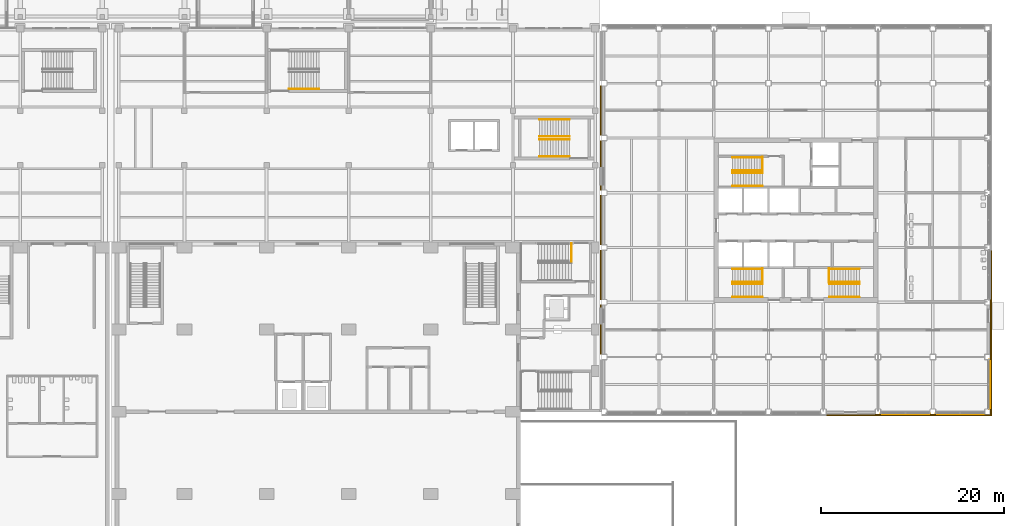
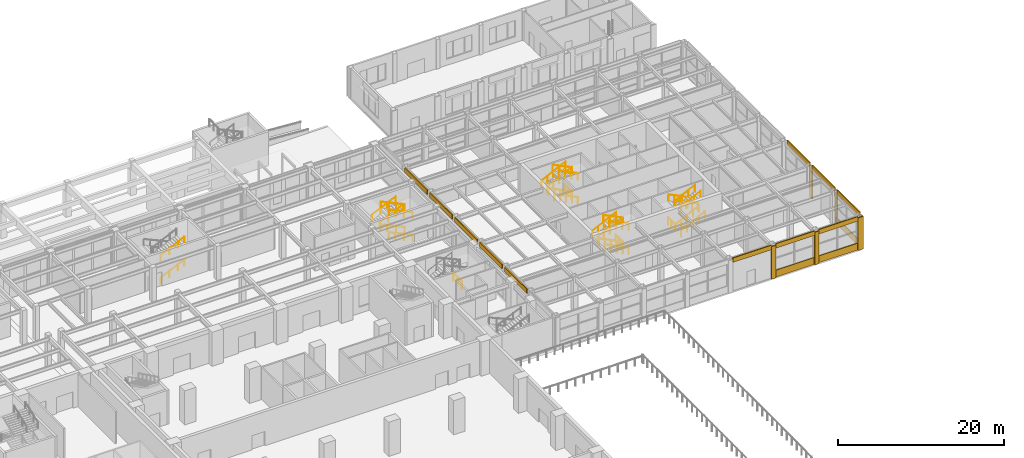
# One storey, part 69 of 77: 30 railings, 20 coverings.
"""IFC4 building model written with IfcOpenShell, lengths in metres."""

from ifc_helpers import new_model, si_unit, direction, frame, origin, origin_2d, place, context, subcontext, project, spatial, polyline, circle, outline, extrude, material, layer, layer_set, type_object, element, save


model = new_model("IFC4")

# Units and contexts
model_context = context("Model", 3, precision=1e-05, world=origin(), true_north=direction((0.0, 1.0)))
body_context = subcontext(model_context, "Body", "Model", "MODEL_VIEW")
ifc_project = project(units=[si_unit("LENGTHUNIT", "METRE"), si_unit("AREAUNIT", "SQUARE_METRE"), si_unit("VOLUMEUNIT", "CUBIC_METRE"), si_unit("PLANEANGLEUNIT", "RADIAN"), si_unit("MASSUNIT", "GRAM", prefix="KILO")], contexts=[model_context])

# Site, building, storey
site_placement = place(None, origin())
site = spatial("IfcSite", under=ifc_project, at=site_placement, CompositionType="ELEMENT")
building_placement = place(site_placement, origin())
building = spatial("IfcBuilding", under=site, at=building_placement, Name="Aravalli Gate Trade Fair Centre", CompositionType="ELEMENT")
storey_placement = place(building_placement, origin())
storey = spatial("IfcBuildingStorey", under=building, at=storey_placement, Name="L00", CompositionType="ELEMENT", Elevation=0.0)

# Railings
ifc_material_1 = material(Name="Steel E350", Category="steel")
railing_type_1 = type_object("IfcRailingType", Name="Concourse stair handrail 900", PredefinedType="HANDRAIL", material=ifc_material_1)
for number, where, name in (
    (1, (156.199951171875, 118.949951171875, 0.138916015625), "Handrail ES L00 flight 1o"),
    (2, (156.199951171875, 120.85009765625, 0.138916015625), "Handrail ES L00 flight 1i"),
):
    element("IfcRailing", number, at=place(storey_placement, frame(where)), inside=storey, type_object=railing_type_1, Name=name, PredefinedType="HANDRAIL", context=body_context, shape_type="SweptSolid", body=[
        extrude(circle(Radius=0.02392578125, at=origin_2d()), frame((0.0, 0.0, 0.8759765625), z_axis=(-0.907499493834, 0.0, 0.420053173647), x_axis=(0.0, -1.0, 0.0)), (0.0, 0.0, 1.0), 1.322265625),
        extrude(circle(Radius=0.02392578125, at=origin_2d()), frame((-1.199951171875, 0.0, 1.43115234375), z_axis=(-0.907429102623, 0.0, 0.420205216189), x_axis=(0.0, -1.0, 0.0)), (0.0, 0.0, 1.0), 1.322265625),
        extrude(circle(Radius=0.02392578125, at=origin_2d()), frame((-2.39990234375, 0.0, 1.98681640625), z_axis=(-0.907461694017, 0.0, 0.420134828231), x_axis=(0.0, -1.0, 0.0)), (0.0, 0.0, 1.0), 0.991943359375),
        extrude(circle(Radius=0.02099609375, at=origin_2d()), origin(), (0.0, 0.0, 1.0), 0.851806640625),
        extrude(circle(Radius=0.02099609375, at=origin_2d()), frame((-1.199951171875, 0.0, 0.555419921875)), (0.0, 0.0, 1.0), 0.851806640625),
        extrude(circle(Radius=0.02099609375, at=origin_2d()), frame((-2.39990234375, 0.0, 1.111083984375)), (0.0, 0.0, 1.0), 0.851806640625),
        extrude(circle(Radius=0.02099609375, at=origin_2d()), frame((-3.300048828125, 0.0, 1.52783203125)), (0.0, 0.0, 1.0), 0.851806640625),
    ])
for number, where, name in (
    (3, (152.89990234375, 123.050048828125, 1.8056640625), "Handrail ES L00 flight 2o"),
    (4, (152.89990234375, 121.14990234375, 1.8056640625), "Handrail ES L00 flight 2i"),
):
    element("IfcRailing", number, at=place(storey_placement, frame(where)), inside=storey, type_object=railing_type_1, Name=name, PredefinedType="HANDRAIL", context=body_context, shape_type="SweptSolid", body=[
        extrude(circle(Radius=0.02392578125, at=origin_2d()), frame((0.0, 0.0, 0.8759765625), z_axis=(0.907532064172, 0.0, 0.419982800242), x_axis=(0.0, 1.0, 0.0)), (0.0, 0.0, 1.0), 1.322509765625),
        extrude(circle(Radius=0.02392578125, at=origin_2d()), frame((1.2001953125, 0.0, 1.43115234375), z_axis=(0.907429102623, 0.0, 0.420205216189), x_axis=(0.0, 1.0, 0.0)), (0.0, 0.0, 1.0), 1.322265625),
        extrude(circle(Radius=0.02392578125, at=origin_2d()), frame((2.400146484375, 0.0, 1.98681640625), z_axis=(0.907512096258, 0.0, 0.420025945799), x_axis=(0.0, 1.0, 0.0)), (0.0, 0.0, 1.0), 0.99169921875),
        extrude(circle(Radius=0.02099609375, at=origin_2d()), origin(), (0.0, 0.0, 1.0), 0.851806640625),
        extrude(circle(Radius=0.02099609375, at=origin_2d()), frame((1.2001953125, 0.0, 0.555419921875)), (0.0, 0.0, 1.0), 0.851806640625),
        extrude(circle(Radius=0.02099609375, at=origin_2d()), frame((2.400146484375, 0.0, 1.111083984375)), (0.0, 0.0, 1.0), 0.851806640625),
        extrude(circle(Radius=0.02099609375, at=origin_2d()), frame((3.300048828125, 0.0, 1.527587890625)), (0.0, 0.0, 1.0), 0.851806640625),
    ])
for number, where, name in (
    (5, (156.199951171875, 118.949951171875, 3.47216796875), "Handrail ES L00 flight 3o"),
    (6, (156.199951171875, 120.85009765625, 3.47216796875), "Handrail ES L00 flight 3i"),
):
    element("IfcRailing", number, at=place(storey_placement, frame(where)), inside=storey, type_object=railing_type_1, Name=name, PredefinedType="HANDRAIL", context=body_context, shape_type="SweptSolid", body=[
        extrude(circle(Radius=0.02392578125, at=origin_2d()), frame((0.0, 0.0, 0.8759765625), z_axis=(-0.907429102623, 0.0, 0.420205216189), x_axis=(0.0, -1.0, 0.0)), (0.0, 0.0, 1.0), 1.322265625),
        extrude(circle(Radius=0.02392578125, at=origin_2d()), frame((-1.199951171875, 0.0, 1.431640625), z_axis=(-0.907499493834, 0.0, 0.420053173647), x_axis=(0.0, -1.0, 0.0)), (0.0, 0.0, 1.0), 1.322265625),
        extrude(circle(Radius=0.02392578125, at=origin_2d()), frame((-2.39990234375, 0.0, 1.98681640625), z_axis=(-0.907461694017, 0.0, 0.420134828231), x_axis=(0.0, -1.0, 0.0)), (0.0, 0.0, 1.0), 0.991943359375),
        extrude(circle(Radius=0.02099609375, at=origin_2d()), origin(), (0.0, 0.0, 1.0), 0.851806640625),
        extrude(circle(Radius=0.02099609375, at=origin_2d()), frame((-1.199951171875, 0.0, 0.5556640625)), (0.0, 0.0, 1.0), 0.851806640625),
        extrude(circle(Radius=0.02099609375, at=origin_2d()), frame((-2.39990234375, 0.0, 1.111083984375)), (0.0, 0.0, 1.0), 0.851806640625),
        extrude(circle(Radius=0.02099609375, at=origin_2d()), frame((-3.300048828125, 0.0, 1.52783203125)), (0.0, 0.0, 1.0), 0.851806640625),
    ])
railing_1_placement = place(storey_placement, frame((125.449951171875, 126.35009765625, 0.138916015625)))
element("IfcRailing", 7, at=railing_1_placement, inside=storey, type_object=railing_type_1, Name="Handrail XE L00 flight 1o", PredefinedType="HANDRAIL", context=body_context, shape_type="SweptSolid", body=[
    extrude(circle(Radius=0.02392578125, at=origin_2d()), frame((0.0, 0.0, 0.8759765625), z_axis=(0.907499493834, 0.0, 0.420053173647), x_axis=(0.0, 1.0, 0.0)), (0.0, 0.0, 1.0), 1.322265625),
    extrude(circle(Radius=0.02392578125, at=origin_2d()), frame((1.199951171875, 0.0, 1.43115234375), z_axis=(0.907461694017, 0.0, 0.420134828231), x_axis=(0.0, 1.0, 0.0)), (0.0, 0.0, 1.0), 1.322509765625),
    extrude(circle(Radius=0.02392578125, at=origin_2d()), frame((2.400146484375, 0.0, 1.98681640625), z_axis=(0.907418235185, 0.0, 0.420228683522), x_axis=(0.0, 1.0, 0.0)), (0.0, 0.0, 1.0), 0.99169921875),
    extrude(circle(Radius=0.02099609375, at=origin_2d()), origin(), (0.0, 0.0, 1.0), 0.851806640625),
    extrude(circle(Radius=0.02099609375, at=origin_2d()), frame((1.199951171875, 0.0, 0.555419921875)), (0.0, 0.0, 1.0), 0.851806640625),
    extrude(circle(Radius=0.02099609375, at=origin_2d()), frame((2.400146484375, 0.0, 1.111083984375)), (0.0, 0.0, 1.0), 0.851806640625),
    extrude(circle(Radius=0.02099609375, at=origin_2d()), frame((3.300048828125, 0.0, 1.52783203125)), (0.0, 0.0, 1.0), 0.851806640625),
])
railing_2_placement = place(storey_placement, frame((125.449951171875, 126.35009765625, 3.47216796875)))
element("IfcRailing", 8, at=railing_2_placement, inside=storey, type_object=railing_type_1, Name="Handrail XE L00 flight 3o", PredefinedType="HANDRAIL", context=body_context, shape_type="SweptSolid", body=[
    extrude(circle(Radius=0.02392578125, at=origin_2d()), frame((0.0, 0.0, 0.8759765625), z_axis=(0.907429102623, 0.0, 0.420205216189), x_axis=(0.0, 1.0, 0.0)), (0.0, 0.0, 1.0), 1.322265625),
    extrude(circle(Radius=0.02392578125, at=origin_2d()), frame((1.199951171875, 0.0, 1.431640625), z_axis=(0.907532064172, 0.0, 0.419982800242), x_axis=(0.0, 1.0, 0.0)), (0.0, 0.0, 1.0), 1.322509765625),
    extrude(circle(Radius=0.02392578125, at=origin_2d()), frame((2.400146484375, 0.0, 1.98681640625), z_axis=(0.907418235185, 0.0, 0.420228683522), x_axis=(0.0, 1.0, 0.0)), (0.0, 0.0, 1.0), 0.99169921875),
    extrude(circle(Radius=0.02099609375, at=origin_2d()), origin(), (0.0, 0.0, 1.0), 0.851806640625),
    extrude(circle(Radius=0.02099609375, at=origin_2d()), frame((1.199951171875, 0.0, 0.5556640625)), (0.0, 0.0, 1.0), 0.851806640625),
    extrude(circle(Radius=0.02099609375, at=origin_2d()), frame((2.400146484375, 0.0, 1.111083984375)), (0.0, 0.0, 1.0), 0.851806640625),
    extrude(circle(Radius=0.02099609375, at=origin_2d()), frame((3.300048828125, 0.0, 1.52783203125)), (0.0, 0.0, 1.0), 0.851806640625),
])

# Coverings
ifc_material_2 = material(Name="Dholpur sandstone", Category="masonry")
ifc_layer_1 = layer(ifc_material_2, 0.14990234375)
ifc_layer_set_1 = layer_set([ifc_layer_1], Name="Dholpur sandstone")
covering_type_1 = type_object("IfcCoveringType", Name="Wing sandstone pier casing 150", PredefinedType="CLADDING", material=ifc_layer_set_1)
covering_1_placement = place(storey_placement, origin())
element("IfcCovering", 9, at=covering_1_placement, inside=storey, type_object=covering_type_1, Name="Pier casing 23F S L00", PredefinedType="CLADDING", context=body_context, shape_type="SweptSolid", body=[
    extrude(outline(polyline([(189.699951171875, 90.550048828125), (190.300048828125, 90.550048828125), (190.300048828125, 90.699951171875), (189.699951171875, 90.699951171875), (189.699951171875, 90.550048828125)])), origin(), (0.0, 0.0, 1.0), 4.800048828125),
])
covering_2_placement = place(storey_placement, origin())
element("IfcCovering", 10, at=covering_2_placement, inside=storey, type_object=covering_type_1, Name="Pier casing 24F S L00", PredefinedType="CLADDING", context=body_context, shape_type="SweptSolid", body=[
    extrude(outline(polyline([(195.699951171875, 90.550048828125), (196.300048828125, 90.550048828125), (196.300048828125, 90.699951171875), (195.699951171875, 90.699951171875), (195.699951171875, 90.550048828125)])), origin(), (0.0, 0.0, 1.0), 4.800048828125),
])
covering_3_placement = place(storey_placement, origin())
element("IfcCovering", 11, at=covering_3_placement, inside=storey, type_object=covering_type_1, Name="Pier casing 25F S L00", PredefinedType="CLADDING", context=body_context, shape_type="SweptSolid", body=[
    extrude(outline(polyline([(201.699951171875, 90.550048828125), (202.449951171875, 90.550048828125), (202.449951171875, 90.699951171875), (201.699951171875, 90.699951171875), (201.699951171875, 90.550048828125)])), origin(), (0.0, 0.0, 1.0), 4.800048828125),
])
covering_4_placement = place(storey_placement, origin())
element("IfcCovering", 12, at=covering_4_placement, inside=storey, type_object=covering_type_1, Name="Pier casing 25F E L00", PredefinedType="CLADDING", context=body_context, shape_type="SweptSolid", body=[
    extrude(outline(polyline([(202.300048828125, 90.699951171875), (202.449951171875, 90.699951171875), (202.449951171875, 91.300048828125), (202.300048828125, 91.300048828125), (202.300048828125, 90.699951171875)])), origin(), (0.0, 0.0, 1.0), 4.800048828125),
])
covering_5_placement = place(storey_placement, origin())
element("IfcCovering", 13, at=covering_5_placement, inside=storey, type_object=covering_type_1, Name="Pier casing 25T1 E L00", PredefinedType="CLADDING", context=body_context, shape_type="SweptSolid", body=[
    extrude(outline(polyline([(202.300048828125, 96.699951171875), (202.449951171875, 96.699951171875), (202.449951171875, 97.300048828125), (202.300048828125, 97.300048828125), (202.300048828125, 96.699951171875)])), origin(), (0.0, 0.0, 1.0), 4.800048828125),
])
covering_6_placement = place(storey_placement, origin())
element("IfcCovering", 14, at=covering_6_placement, inside=storey, type_object=covering_type_1, Name="Pier casing 25T2 E L00", PredefinedType="CLADDING", context=body_context, shape_type="SweptSolid", body=[
    extrude(outline(polyline([(202.300048828125, 102.699951171875), (202.449951171875, 102.699951171875), (202.449951171875, 103.300048828125), (202.300048828125, 103.300048828125), (202.300048828125, 102.699951171875)])), origin(), (0.0, 0.0, 1.0), 4.800048828125),
])
ifc_material_3 = material(Name="Glazed terracotta", Category="masonry")
ifc_layer_2 = layer(ifc_material_3, 0.14501953125)
ifc_layer_set_2 = layer_set([ifc_layer_2], Name="Glazed terracotta")
covering_type_2 = type_object("IfcCoveringType", Name="Wing spandrel band 145", PredefinedType="CLADDING", material=ifc_layer_set_2)
covering_7_placement = place(storey_placement, frame((0.0, 0.0, 4.35009765625)))
element("IfcCovering", 15, at=covering_7_placement, inside=storey, type_object=covering_type_2, Name="Spandrel band S4 L00", PredefinedType="CLADDING", context=body_context, shape_type="SweptSolid", body=[
    extrude(outline(polyline([(184.300048828125, 90.550048828125), (189.699951171875, 90.550048828125), (189.699951171875, 90.695068359375), (184.300048828125, 90.695068359375), (184.300048828125, 90.550048828125)])), origin(), (0.0, 0.0, 1.0), 0.64990234375),
])
covering_8_placement = place(storey_placement, frame((0.0, 0.0, 4.35009765625)))
element("IfcCovering", 16, at=covering_8_placement, inside=storey, type_object=covering_type_2, Name="Spandrel band S5 L00", PredefinedType="CLADDING", context=body_context, shape_type="SweptSolid", body=[
    extrude(outline(polyline([(190.300048828125, 90.550048828125), (195.699951171875, 90.550048828125), (195.699951171875, 90.695068359375), (190.300048828125, 90.695068359375), (190.300048828125, 90.550048828125)])), origin(), (0.0, 0.0, 1.0), 0.64990234375),
])
covering_9_placement = place(storey_placement, frame((0.0, 0.0, 4.35009765625)))
element("IfcCovering", 17, at=covering_9_placement, inside=storey, type_object=covering_type_2, Name="Spandrel band S6 L00", PredefinedType="CLADDING", context=body_context, shape_type="SweptSolid", body=[
    extrude(outline(polyline([(196.300048828125, 90.550048828125), (201.699951171875, 90.550048828125), (201.699951171875, 90.695068359375), (196.300048828125, 90.695068359375), (196.300048828125, 90.550048828125)])), origin(), (0.0, 0.0, 1.0), 0.64990234375),
])
covering_10_placement = place(storey_placement, frame((0.0, 0.0, 4.35009765625)))
element("IfcCovering", 18, at=covering_10_placement, inside=storey, type_object=covering_type_2, Name="Spandrel band W1 L00", PredefinedType="CLADDING", context=body_context, shape_type="SweptSolid", body=[
    extrude(outline(polyline([(159.550048828125, 97.300048828125), (159.695068359375, 97.300048828125), (159.695068359375, 102.699951171875), (159.550048828125, 102.699951171875), (159.550048828125, 97.300048828125)])), origin(), (0.0, 0.0, 1.0), 0.64990234375),
])
covering_11_placement = place(storey_placement, frame((0.0, 0.0, 4.35009765625)))
element("IfcCovering", 19, at=covering_11_placement, inside=storey, type_object=covering_type_2, Name="Spandrel band W2 L00", PredefinedType="CLADDING", context=body_context, shape_type="SweptSolid", body=[
    extrude(outline(polyline([(159.550048828125, 103.300048828125), (159.695068359375, 103.300048828125), (159.695068359375, 108.699951171875), (159.550048828125, 108.699951171875), (159.550048828125, 103.300048828125)])), origin(), (0.0, 0.0, 1.0), 0.64990234375),
])
covering_12_placement = place(storey_placement, frame((0.0, 0.0, 4.35009765625)))
element("IfcCovering", 20, at=covering_12_placement, inside=storey, type_object=covering_type_2, Name="Spandrel band W3 L00", PredefinedType="CLADDING", context=body_context, shape_type="SweptSolid", body=[
    extrude(outline(polyline([(159.550048828125, 109.300048828125), (159.695068359375, 109.300048828125), (159.695068359375, 114.699951171875), (159.550048828125, 114.699951171875), (159.550048828125, 109.300048828125)])), origin(), (0.0, 0.0, 1.0), 0.64990234375),
])
covering_13_placement = place(storey_placement, frame((0.0, 0.0, 4.35009765625)))
element("IfcCovering", 21, at=covering_13_placement, inside=storey, type_object=covering_type_2, Name="Spandrel band W4 L00", PredefinedType="CLADDING", context=body_context, shape_type="SweptSolid", body=[
    extrude(outline(polyline([(159.550048828125, 115.300048828125), (159.695068359375, 115.300048828125), (159.695068359375, 120.699951171875), (159.550048828125, 120.699951171875), (159.550048828125, 115.300048828125)])), origin(), (0.0, 0.0, 1.0), 0.64990234375),
])
covering_14_placement = place(storey_placement, frame((0.0, 0.0, 4.35009765625)))
element("IfcCovering", 22, at=covering_14_placement, inside=storey, type_object=covering_type_2, Name="Spandrel band W5 L00", PredefinedType="CLADDING", context=body_context, shape_type="SweptSolid", body=[
    extrude(outline(polyline([(159.550048828125, 121.300048828125), (159.695068359375, 121.300048828125), (159.695068359375, 126.699951171875), (159.550048828125, 126.699951171875), (159.550048828125, 121.300048828125)])), origin(), (0.0, 0.0, 1.0), 0.64990234375),
])
covering_15_placement = place(storey_placement, frame((0.0, 0.0, 4.35009765625)))
element("IfcCovering", 23, at=covering_15_placement, inside=storey, type_object=covering_type_2, Name="Spandrel band E0 L00", PredefinedType="CLADDING", context=body_context, shape_type="SweptSolid", body=[
    extrude(outline(polyline([(202.304931640625, 91.300048828125), (202.449951171875, 91.300048828125), (202.449951171875, 96.699951171875), (202.304931640625, 96.699951171875), (202.304931640625, 91.300048828125)])), origin(), (0.0, 0.0, 1.0), 0.64990234375),
])
covering_16_placement = place(storey_placement, frame((0.0, 0.0, 4.35009765625)))
element("IfcCovering", 24, at=covering_16_placement, inside=storey, type_object=covering_type_2, Name="Spandrel band E1 L00", PredefinedType="CLADDING", context=body_context, shape_type="SweptSolid", body=[
    extrude(outline(polyline([(202.304931640625, 97.300048828125), (202.449951171875, 97.300048828125), (202.449951171875, 102.699951171875), (202.304931640625, 102.699951171875), (202.304931640625, 97.300048828125)])), origin(), (0.0, 0.0, 1.0), 0.64990234375),
])
covering_17_placement = place(storey_placement, frame((0.0, 0.0, 4.35009765625)))
element("IfcCovering", 25, at=covering_17_placement, inside=storey, type_object=covering_type_2, Name="Spandrel band E2 L00", PredefinedType="CLADDING", context=body_context, shape_type="SweptSolid", body=[
    extrude(outline(polyline([(202.304931640625, 103.300048828125), (202.449951171875, 103.300048828125), (202.449951171875, 108.699951171875), (202.304931640625, 108.699951171875), (202.304931640625, 103.300048828125)])), origin(), (0.0, 0.0, 1.0), 0.64990234375),
])

# Railings
railing_type_2 = type_object("IfcRailingType", Name="Wing stair handrail", PredefinedType="HANDRAIL", material=ifc_material_1)
for number, where, name in (
    (26, (177.35009765625, 103.56005859375, 0.14697265625), "Handrail S2 L00 1a"),
    (27, (177.35009765625, 104.97998046875, 0.14697265625), "Handrail S2 L00 1b"),
):
    element("IfcRailing", number, at=place(storey_placement, frame(where)), inside=storey, type_object=railing_type_2, Name=name, PredefinedType="HANDRAIL", context=body_context, shape_type="SweptSolid", body=[
        extrude(circle(Radius=0.02392578125, at=origin_2d()), frame((0.0, 0.0, 0.92578125), z_axis=(-0.897920207933, 0.0, 0.440158267202), x_axis=(0.0, -1.0, 0.0)), (0.0, 0.0, 1.0), 3.67529296875),
        extrude(circle(Radius=0.02099609375, at=origin_2d()), origin(), (0.0, 0.0, 1.0), 0.90185546875),
        extrude(circle(Radius=0.02099609375, at=origin_2d()), frame((-0.824951171875, 0.0, 0.404296875)), (0.0, 0.0, 1.0), 0.90185546875),
        extrude(circle(Radius=0.02099609375, at=origin_2d()), frame((-1.64990234375, 0.0, 0.808837890625)), (0.0, 0.0, 1.0), 0.90185546875),
        extrude(circle(Radius=0.02099609375, at=origin_2d()), frame((-2.47509765625, 0.0, 1.21337890625)), (0.0, 0.0, 1.0), 0.90185546875),
        extrude(circle(Radius=0.02099609375, at=origin_2d()), frame((-3.300048828125, 0.0, 1.61767578125)), (0.0, 0.0, 1.0), 0.90185546875),
    ])
for number, where, name in (
    (28, (174.050048828125, 105.219970703125, 1.911865234375), "Handrail S2 L00 2a"),
    (29, (174.050048828125, 106.639892578125, 1.911865234375), "Handrail S2 L00 2b"),
):
    element("IfcRailing", number, at=place(storey_placement, frame(where)), inside=storey, type_object=railing_type_2, Name=name, PredefinedType="HANDRAIL", context=body_context, shape_type="SweptSolid", body=[
        extrude(circle(Radius=0.02392578125, at=origin_2d()), frame((0.0, 0.0, 0.92578125), z_axis=(0.897946461621, 0.0, 0.440104705795), x_axis=(0.0, 1.0, 0.0)), (0.0, 0.0, 1.0), 3.675048828125),
        extrude(circle(Radius=0.02099609375, at=origin_2d()), origin(), (0.0, 0.0, 1.0), 0.90185546875),
        extrude(circle(Radius=0.02099609375, at=origin_2d()), frame((0.824951171875, 0.0, 0.404296875)), (0.0, 0.0, 1.0), 0.90185546875),
        extrude(circle(Radius=0.02099609375, at=origin_2d()), frame((1.64990234375, 0.0, 0.80859375)), (0.0, 0.0, 1.0), 0.90185546875),
        extrude(circle(Radius=0.02099609375, at=origin_2d()), frame((2.47509765625, 0.0, 1.213134765625)), (0.0, 0.0, 1.0), 0.90185546875),
        extrude(circle(Radius=0.02099609375, at=origin_2d()), frame((3.300048828125, 0.0, 1.617431640625)), (0.0, 0.0, 1.0), 0.90185546875),
    ])
for number, where, name in (
    (30, (177.35009765625, 103.56005859375, 3.676513671875), "Handrail S2 L00 3a"),
    (31, (177.35009765625, 104.97998046875, 3.676513671875), "Handrail S2 L00 3b"),
):
    element("IfcRailing", number, at=place(storey_placement, frame(where)), inside=storey, type_object=railing_type_2, Name=name, PredefinedType="HANDRAIL", context=body_context, shape_type="SweptSolid", body=[
        extrude(circle(Radius=0.02392578125, at=origin_2d()), frame((0.0, 0.0, 0.92578125), z_axis=(-0.897938967857, 0.0, 0.440119995005), x_axis=(0.0, -1.0, 0.0)), (0.0, 0.0, 1.0), 3.007080078125),
        extrude(circle(Radius=0.02099609375, at=origin_2d()), origin(), (0.0, 0.0, 1.0), 0.90185546875),
        extrude(circle(Radius=0.02099609375, at=origin_2d()), frame((-0.900146484375, 0.0, 0.441162109375)), (0.0, 0.0, 1.0), 0.90185546875),
        extrude(circle(Radius=0.02099609375, at=origin_2d()), frame((-1.800048828125, 0.0, 0.88232421875)), (0.0, 0.0, 1.0), 0.90185546875),
        extrude(circle(Radius=0.02099609375, at=origin_2d()), frame((-2.7001953125, 0.0, 1.323486328125)), (0.0, 0.0, 1.0), 0.90185546875),
    ])
for number, where, name in (
    (32, (184.64990234375, 103.56005859375, 0.14697265625), "Handrail S1 L00 1a"),
    (33, (184.64990234375, 104.97998046875, 0.14697265625), "Handrail S1 L00 1b"),
):
    element("IfcRailing", number, at=place(storey_placement, frame(where)), inside=storey, type_object=railing_type_2, Name=name, PredefinedType="HANDRAIL", context=body_context, shape_type="SweptSolid", body=[
        extrude(circle(Radius=0.02392578125, at=origin_2d()), frame((0.0, 0.0, 0.92578125), z_axis=(0.897920207933, 0.0, 0.440158267202), x_axis=(0.0, 1.0, 0.0)), (0.0, 0.0, 1.0), 3.67529296875),
        extrude(circle(Radius=0.02099609375, at=origin_2d()), origin(), (0.0, 0.0, 1.0), 0.90185546875),
        extrude(circle(Radius=0.02099609375, at=origin_2d()), frame((0.824951171875, 0.0, 0.404296875)), (0.0, 0.0, 1.0), 0.90185546875),
        extrude(circle(Radius=0.02099609375, at=origin_2d()), frame((1.64990234375, 0.0, 0.808837890625)), (0.0, 0.0, 1.0), 0.90185546875),
        extrude(circle(Radius=0.02099609375, at=origin_2d()), frame((2.47509765625, 0.0, 1.21337890625)), (0.0, 0.0, 1.0), 0.90185546875),
        extrude(circle(Radius=0.02099609375, at=origin_2d()), frame((3.300048828125, 0.0, 1.61767578125)), (0.0, 0.0, 1.0), 0.90185546875),
    ])
for number, where, name in (
    (34, (187.949951171875, 105.219970703125, 1.911865234375), "Handrail S1 L00 2a"),
    (35, (187.949951171875, 106.639892578125, 1.911865234375), "Handrail S1 L00 2b"),
):
    element("IfcRailing", number, at=place(storey_placement, frame(where)), inside=storey, type_object=railing_type_2, Name=name, PredefinedType="HANDRAIL", context=body_context, shape_type="SweptSolid", body=[
        extrude(circle(Radius=0.02392578125, at=origin_2d()), frame((0.0, 0.0, 0.92578125), z_axis=(-0.897946461621, 0.0, 0.440104705795), x_axis=(0.0, -1.0, 0.0)), (0.0, 0.0, 1.0), 3.675048828125),
        extrude(circle(Radius=0.02099609375, at=origin_2d()), origin(), (0.0, 0.0, 1.0), 0.90185546875),
        extrude(circle(Radius=0.02099609375, at=origin_2d()), frame((-0.824951171875, 0.0, 0.404296875)), (0.0, 0.0, 1.0), 0.90185546875),
        extrude(circle(Radius=0.02099609375, at=origin_2d()), frame((-1.64990234375, 0.0, 0.80859375)), (0.0, 0.0, 1.0), 0.90185546875),
        extrude(circle(Radius=0.02099609375, at=origin_2d()), frame((-2.47509765625, 0.0, 1.213134765625)), (0.0, 0.0, 1.0), 0.90185546875),
        extrude(circle(Radius=0.02099609375, at=origin_2d()), frame((-3.300048828125, 0.0, 1.617431640625)), (0.0, 0.0, 1.0), 0.90185546875),
    ])
for number, where, name in (
    (36, (184.64990234375, 103.56005859375, 3.676513671875), "Handrail S1 L00 3a"),
    (37, (184.64990234375, 104.97998046875, 3.676513671875), "Handrail S1 L00 3b"),
):
    element("IfcRailing", number, at=place(storey_placement, frame(where)), inside=storey, type_object=railing_type_2, Name=name, PredefinedType="HANDRAIL", context=body_context, shape_type="SweptSolid", body=[
        extrude(circle(Radius=0.02392578125, at=origin_2d()), frame((0.0, 0.0, 0.92578125), z_axis=(0.897938967857, 0.0, 0.440119995005), x_axis=(0.0, 1.0, 0.0)), (0.0, 0.0, 1.0), 3.007080078125),
        extrude(circle(Radius=0.02099609375, at=origin_2d()), origin(), (0.0, 0.0, 1.0), 0.90185546875),
        extrude(circle(Radius=0.02099609375, at=origin_2d()), frame((0.900146484375, 0.0, 0.441162109375)), (0.0, 0.0, 1.0), 0.90185546875),
        extrude(circle(Radius=0.02099609375, at=origin_2d()), frame((1.800048828125, 0.0, 0.88232421875)), (0.0, 0.0, 1.0), 0.90185546875),
        extrude(circle(Radius=0.02099609375, at=origin_2d()), frame((2.7001953125, 0.0, 1.323486328125)), (0.0, 0.0, 1.0), 0.90185546875),
    ])
for number, where, name in (
    (38, (177.35009765625, 115.760009765625, 0.14697265625), "Handrail FFS L00 1a"),
    (39, (177.35009765625, 117.179931640625, 0.14697265625), "Handrail FFS L00 1b"),
):
    element("IfcRailing", number, at=place(storey_placement, frame(where)), inside=storey, type_object=railing_type_2, Name=name, PredefinedType="HANDRAIL", context=body_context, shape_type="SweptSolid", body=[
        extrude(circle(Radius=0.02392578125, at=origin_2d()), frame((0.0, 0.0, 0.92578125), z_axis=(-0.897920207933, 0.0, 0.440158267202), x_axis=(0.0, -1.0, 0.0)), (0.0, 0.0, 1.0), 3.67529296875),
        extrude(circle(Radius=0.02099609375, at=origin_2d()), origin(), (0.0, 0.0, 1.0), 0.90185546875),
        extrude(circle(Radius=0.02099609375, at=origin_2d()), frame((-0.824951171875, 0.0, 0.404296875)), (0.0, 0.0, 1.0), 0.90185546875),
        extrude(circle(Radius=0.02099609375, at=origin_2d()), frame((-1.64990234375, 0.0, 0.808837890625)), (0.0, 0.0, 1.0), 0.90185546875),
        extrude(circle(Radius=0.02099609375, at=origin_2d()), frame((-2.47509765625, 0.0, 1.21337890625)), (0.0, 0.0, 1.0), 0.90185546875),
        extrude(circle(Radius=0.02099609375, at=origin_2d()), frame((-3.300048828125, 0.0, 1.61767578125)), (0.0, 0.0, 1.0), 0.90185546875),
    ])
for number, where, name in (
    (40, (174.050048828125, 117.419921875, 1.911865234375), "Handrail FFS L00 2a"),
    (41, (174.050048828125, 118.840087890625, 1.911865234375), "Handrail FFS L00 2b"),
):
    element("IfcRailing", number, at=place(storey_placement, frame(where)), inside=storey, type_object=railing_type_2, Name=name, PredefinedType="HANDRAIL", context=body_context, shape_type="SweptSolid", body=[
        extrude(circle(Radius=0.02392578125, at=origin_2d()), frame((0.0, 0.0, 0.92578125), z_axis=(0.897946461621, 0.0, 0.440104705795), x_axis=(0.0, 1.0, 0.0)), (0.0, 0.0, 1.0), 3.675048828125),
        extrude(circle(Radius=0.02099609375, at=origin_2d()), origin(), (0.0, 0.0, 1.0), 0.90185546875),
        extrude(circle(Radius=0.02099609375, at=origin_2d()), frame((0.824951171875, 0.0, 0.404296875)), (0.0, 0.0, 1.0), 0.90185546875),
        extrude(circle(Radius=0.02099609375, at=origin_2d()), frame((1.64990234375, 0.0, 0.80859375)), (0.0, 0.0, 1.0), 0.90185546875),
        extrude(circle(Radius=0.02099609375, at=origin_2d()), frame((2.47509765625, 0.0, 1.213134765625)), (0.0, 0.0, 1.0), 0.90185546875),
        extrude(circle(Radius=0.02099609375, at=origin_2d()), frame((3.300048828125, 0.0, 1.617431640625)), (0.0, 0.0, 1.0), 0.90185546875),
    ])
for number, where, name in (
    (42, (177.35009765625, 115.760009765625, 3.676513671875), "Handrail FFS L00 3a"),
    (43, (177.35009765625, 117.179931640625, 3.676513671875), "Handrail FFS L00 3b"),
):
    element("IfcRailing", number, at=place(storey_placement, frame(where)), inside=storey, type_object=railing_type_2, Name=name, PredefinedType="HANDRAIL", context=body_context, shape_type="SweptSolid", body=[
        extrude(circle(Radius=0.02392578125, at=origin_2d()), frame((0.0, 0.0, 0.92578125), z_axis=(-0.897938967857, 0.0, 0.440119995005), x_axis=(0.0, -1.0, 0.0)), (0.0, 0.0, 1.0), 3.007080078125),
        extrude(circle(Radius=0.02099609375, at=origin_2d()), origin(), (0.0, 0.0, 1.0), 0.90185546875),
        extrude(circle(Radius=0.02099609375, at=origin_2d()), frame((-0.900146484375, 0.0, 0.441162109375)), (0.0, 0.0, 1.0), 0.90185546875),
        extrude(circle(Radius=0.02099609375, at=origin_2d()), frame((-1.800048828125, 0.0, 0.88232421875)), (0.0, 0.0, 1.0), 0.90185546875),
        extrude(circle(Radius=0.02099609375, at=origin_2d()), frame((-2.7001953125, 0.0, 1.323486328125)), (0.0, 0.0, 1.0), 0.90185546875),
    ])
railing_type_3 = type_object("IfcRailingType", Name="Wing stair roof guard", PredefinedType="GUARDRAIL", material=ifc_material_1)
for number, where, name in (
    (44, (177.35009765625, 105.159912109375, 0.0), "Guard S2 landing L00"),
    (45, (184.64990234375, 105.159912109375, 0.0), "Guard S1 landing L00"),
):
    element("IfcRailing", number, at=place(storey_placement, frame(where)), inside=storey, type_object=railing_type_3, Name=name, PredefinedType="GUARDRAIL", context=body_context, shape_type="SweptSolid", body=[
        extrude(circle(Radius=0.02392578125, at=origin_2d()), frame((0.0, 0.0, 1.076171875), z_axis=(0.0, 1.0, 0.0), x_axis=(-1.0, 0.0, 0.0)), (0.0, 0.0, 1.0), 1.5400390625),
        extrude(circle(Radius=0.02099609375, at=origin_2d()), origin(), (0.0, 0.0, 1.0), 1.052001953125),
        extrude(circle(Radius=0.02099609375, at=origin_2d()), frame((0.0, 0.77001953125, 0.0)), (0.0, 0.0, 1.0), 1.052001953125),
        extrude(circle(Radius=0.02099609375, at=origin_2d()), frame((0.0, 1.5400390625, 0.0)), (0.0, 0.0, 1.0), 1.052001953125),
    ])
railing_3_placement = place(storey_placement, frame((177.35009765625, 117.360107421875, 0.0)))
element("IfcRailing", 46, at=railing_3_placement, inside=storey, type_object=railing_type_3, Name="Guard FFS landing L00", PredefinedType="GUARDRAIL", context=body_context, shape_type="SweptSolid", body=[
    extrude(circle(Radius=0.02392578125, at=origin_2d()), frame((0.0, 0.0, 1.076171875), z_axis=(0.0, 1.0, 0.0), x_axis=(-1.0, 0.0, 0.0)), (0.0, 0.0, 1.0), 1.539794921875),
    extrude(circle(Radius=0.02099609375, at=origin_2d()), origin(), (0.0, 0.0, 1.0), 1.052001953125),
    extrude(circle(Radius=0.02099609375, at=origin_2d()), frame((0.0, 0.77001953125, 0.0)), (0.0, 0.0, 1.0), 1.052001953125),
    extrude(circle(Radius=0.02099609375, at=origin_2d()), frame((0.0, 1.539794921875, 0.0)), (0.0, 0.0, 1.0), 1.052001953125),
])
railing_4_placement = place(storey_placement, frame((156.39990234375, 107.449951171875, 0.0)))
element("IfcRailing", 47, at=railing_4_placement, inside=storey, type_object=railing_type_3, Name="Guard LB landing L00", PredefinedType="GUARDRAIL", context=body_context, shape_type="SweptSolid", body=[
    extrude(circle(Radius=0.02392578125, at=origin_2d()), frame((0.0, 0.0, 1.076171875), z_axis=(0.0, 1.0, 0.0), x_axis=(-1.0, 0.0, 0.0)), (0.0, 0.0, 1.0), 2.0),
    extrude(circle(Radius=0.02099609375, at=origin_2d()), origin(), (0.0, 0.0, 1.0), 1.052001953125),
    extrude(circle(Radius=0.02099609375, at=origin_2d()), frame((0.0, 1.0, 0.0)), (0.0, 0.0, 1.0), 1.052001953125),
    extrude(circle(Radius=0.02099609375, at=origin_2d()), frame((0.0, 2.0, 0.0)), (0.0, 0.0, 1.0), 1.052001953125),
])

# Coverings
ifc_layer_3 = layer(ifc_material_2, 0.10009765625)
ifc_layer_set_3 = layer_set([ifc_layer_3], Name="Dholpur sandstone")
covering_type_3 = type_object("IfcCoveringType", Name="Wing stone base course 100", PredefinedType="CLADDING", material=ifc_layer_set_3)
covering_18_placement = place(storey_placement, origin())
element("IfcCovering", 48, at=covering_18_placement, inside=storey, type_object=covering_type_3, Name="Stone base course S5 L00", PredefinedType="CLADDING", context=body_context, shape_type="SweptSolid", body=[
    extrude(outline(polyline([(190.300048828125, 90.699951171875), (195.699951171875, 90.699951171875), (195.699951171875, 90.800048828125), (190.300048828125, 90.800048828125), (190.300048828125, 90.699951171875)])), origin(), (0.0, 0.0, 1.0), 1.0),
])
covering_19_placement = place(storey_placement, origin())
element("IfcCovering", 49, at=covering_19_placement, inside=storey, type_object=covering_type_3, Name="Stone base course S6 L00", PredefinedType="CLADDING", context=body_context, shape_type="SweptSolid", body=[
    extrude(outline(polyline([(196.300048828125, 90.699951171875), (201.699951171875, 90.699951171875), (201.699951171875, 90.800048828125), (196.300048828125, 90.800048828125), (196.300048828125, 90.699951171875)])), origin(), (0.0, 0.0, 1.0), 1.0),
])
covering_20_placement = place(storey_placement, origin())
element("IfcCovering", 50, at=covering_20_placement, inside=storey, type_object=covering_type_3, Name="Stone base course E0 L00", PredefinedType="CLADDING", context=body_context, shape_type="SweptSolid", body=[
    extrude(outline(polyline([(202.199951171875, 91.300048828125), (202.300048828125, 91.300048828125), (202.300048828125, 96.699951171875), (202.199951171875, 96.699951171875), (202.199951171875, 91.300048828125)])), origin(), (0.0, 0.0, 1.0), 1.0),
])

save(model, "model.ifc")
